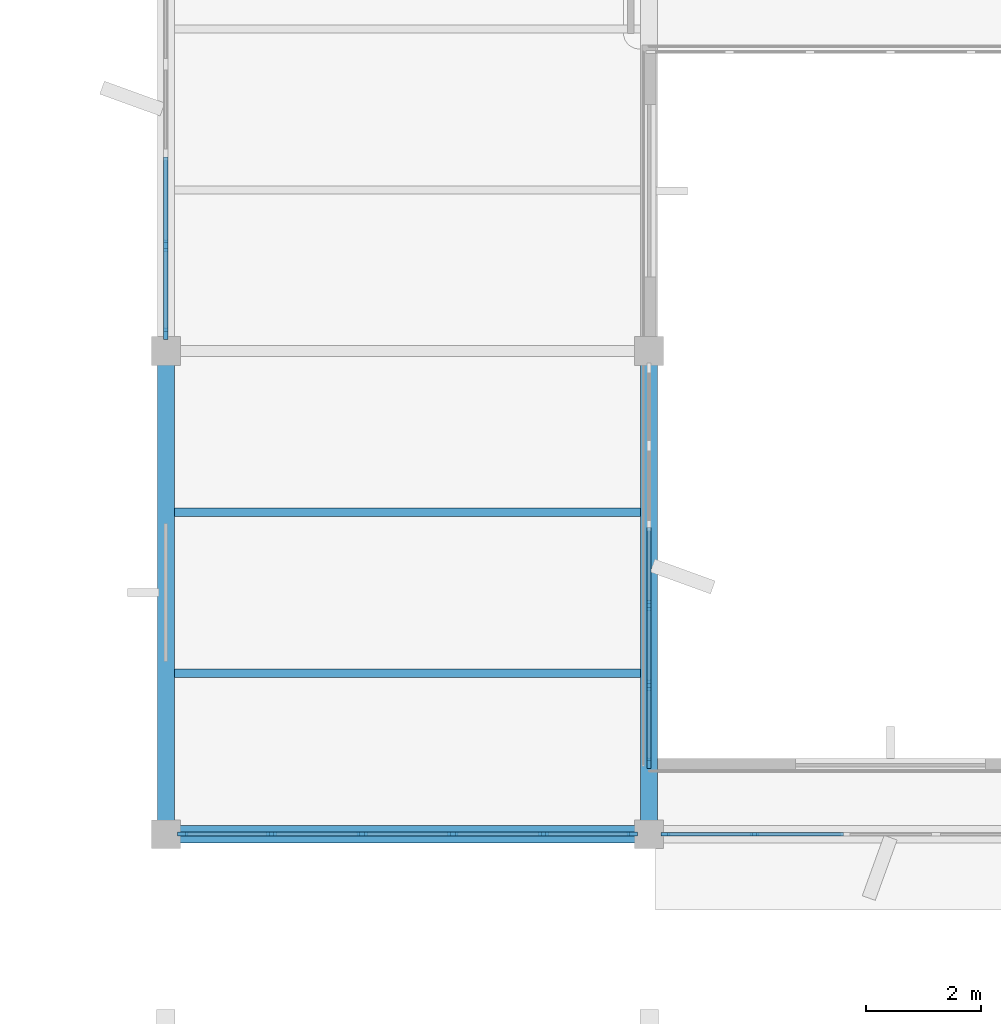
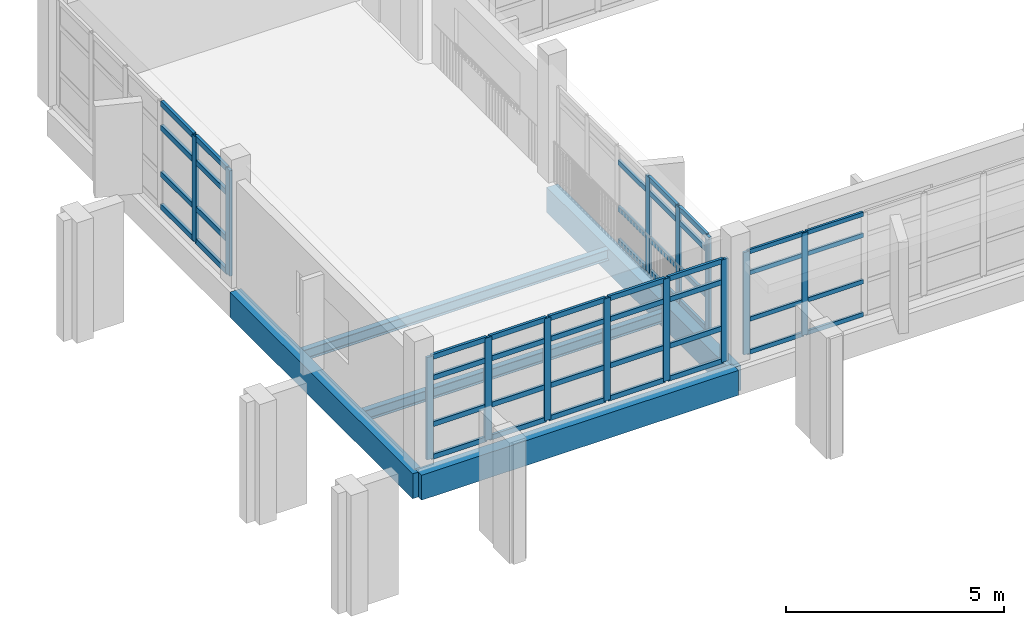
# One storey, part 6 of 104: 60 members, 5 beams, 4 elements without a shape of their own.
"""IFC4 building model written with IfcOpenShell, lengths in metres."""

from ifc_helpers import new_model, si_unit, direction, frame, origin, origin_2d, place, context, subcontext, project, spatial, rectangle, i_section, extrude, material, material_profile, profile_set, type_object, element, aggregate, save


model = new_model("IFC4")

# Units and contexts
model_context = context("Model", 3, precision=1e-05, world=origin(), true_north=direction((0.0, 1.0)))
body_context = subcontext(model_context, "Body", "Model", "MODEL_VIEW")
ifc_project = project(units=[si_unit("LENGTHUNIT", "METRE"), si_unit("AREAUNIT", "SQUARE_METRE"), si_unit("VOLUMEUNIT", "CUBIC_METRE"), si_unit("PLANEANGLEUNIT", "RADIAN"), si_unit("MASSUNIT", "GRAM", prefix="KILO")], contexts=[model_context])

# Site, building, storey
site_placement = place(None, origin())
site = spatial("IfcSite", under=ifc_project, at=site_placement, CompositionType="ELEMENT")
building_placement = place(site_placement, origin())
building = spatial("IfcBuilding", under=site, at=building_placement, Name="Vanh Quang Courtyard School", CompositionType="ELEMENT")
storey_placement = place(building_placement, frame((0.0, 0.0, 4.199951171875)))
storey = spatial("IfcBuildingStorey", under=building, at=storey_placement, Name="L01", CompositionType="ELEMENT", Elevation=4.199951171875)

# Beams
ifc_material_1 = material(Name="Concrete C35/45", Category="concrete")
ifc_material_profile_1 = material_profile(ifc_material_1, rectangle(XDim=0.300048828125, YDim=0.699951171875, at=origin_2d()), Name="RC-SP 300x700")
ifc_profile_set_1 = profile_set([ifc_material_profile_1], Name="Concrete C35/45")
beam_type_1 = type_object("IfcBeamType", Name="BM-SP-300x700", PredefinedType="SPANDREL", material=ifc_profile_set_1)
for number, where, z_axis, x_axis, name in (
    (1, (4.199951171875, 4.199951171875, -0.6298828125), (1.0, 0.0, 0.0), (0.0, 1.0, 0.0), "Beam BS-01 (L01)"),
    (2, (4.199951171875, 4.199951171875, -0.6298828125), (0.0, 1.0, 0.0), (-1.0, 0.0, 0.0), "Beam BS-01 (L01)"),
    (3, (12.60009765625, 4.199951171875, -0.6298828125), (0.0, 1.0, 0.0), (-1.0, 0.0, 0.0), "Beam BS-01 (L01)"),
):
    element("IfcBeam", number, at=place(storey_placement, frame(where, z_axis=z_axis, x_axis=x_axis)), inside=storey, type_object=beam_type_1, Name=name, PredefinedType="SPANDREL", context=body_context, shape_type="SweptSolid", body=[
        extrude(rectangle(XDim=0.300048828125, YDim=0.699951171875, at=origin_2d()), origin(), (0.0, 0.0, 1.0), 8.400146484375),
    ])

# Curtain wall, members
ifc_material_2 = material(Name="Thermally broken aluminium unitised curtain wall", Category="aluminium")
curtain_wall_type_1 = type_object("IfcCurtainWallType", Name="CW-SYS-29", PredefinedType="NOTDEFINED", material=ifc_material_2)
curtain_wall_1_placement = place(storey_placement, origin())
curtain_wall_1 = element("IfcCurtainWall", 4, at=curtain_wall_1_placement, inside=storey, type_object=curtain_wall_type_1, Name="Curtain Wall CW-29 (L01)", PredefinedType="NOTDEFINED")
ifc_material_3 = material(Name="Anodised aluminium 6063-T6", Category="aluminium")
ifc_material_profile_2 = material_profile(ifc_material_3, rectangle(XDim=0.06005859375, YDim=0.159912109375, at=origin_2d()), Name="ALU-MUL 60x160")
ifc_profile_set_2 = profile_set([ifc_material_profile_2], Name="Anodised aluminium 6063-T6")
member_type_1 = type_object("IfcMemberType", Name="CW-MUL-60x160", PredefinedType="MULLION", material=ifc_profile_set_2)
member_1_placement = place(storey_placement, frame((14.434814453125, 4.199951171875, 0.0), z_axis=(0.0, 0.0, 1.0), x_axis=(0.0, -1.0, 0.0)))
member_1 = element("IfcMember", 5, at=member_1_placement, type_object=member_type_1, Name="CW-29 mullion 5", PredefinedType="MULLION", context=body_context, shape_type="SweptSolid", body=[
    extrude(rectangle(XDim=0.06005859375, YDim=0.159912109375, at=origin_2d()), origin(), (0.0, 0.0, 1.0), 2.8701171875),
])
member_2_placement = place(storey_placement, frame((12.887939453125, 4.199951171875, 0.0), z_axis=(0.0, 0.0, 1.0), x_axis=(0.0, -1.0, 0.0)))
member_2 = element("IfcMember", 6, at=member_2_placement, type_object=member_type_1, Name="CW-29 mullion 6", PredefinedType="MULLION", context=body_context, shape_type="SweptSolid", body=[
    extrude(rectangle(XDim=0.06005859375, YDim=0.159912109375, at=origin_2d()), origin(), (0.0, 0.0, 1.0), 2.8701171875),
])

curtain_wall_2_placement = place(storey_placement, origin())
curtain_wall_2 = element("IfcCurtainWall", 7, at=curtain_wall_2_placement, inside=storey, type_object=curtain_wall_type_1, Name="Curtain Wall CW-29 (L01)", PredefinedType="NOTDEFINED")
ifc_material_profile_3 = material_profile(ifc_material_3, rectangle(XDim=0.070068359375, YDim=0.179931640625, at=origin_2d()), Name="ALU-MUL 70x180")
ifc_profile_set_3 = profile_set([ifc_material_profile_3], Name="Anodised aluminium 6063-T6")
member_type_2 = type_object("IfcMemberType", Name="CW-MUL-70x180", PredefinedType="MULLION", material=ifc_profile_set_3)
member_3_placement = place(storey_placement, frame((12.306884765625, 4.199951171875, 0.0), z_axis=(0.0, 0.0, 1.0), x_axis=(0.0, -1.0, 0.0)))
member_3 = element("IfcMember", 8, at=member_3_placement, type_object=member_type_2, Name="CW-29 mullion 1", PredefinedType="MULLION", context=body_context, shape_type="SweptSolid", body=[
    extrude(rectangle(XDim=0.070068359375, YDim=0.179931640625, at=origin_2d()), origin(), (0.0, 0.0, 1.0), 2.8701171875),
])
member_4_placement = place(storey_placement, frame((10.76513671875, 4.199951171875, 0.0), z_axis=(0.0, 0.0, 1.0), x_axis=(0.0, -1.0, 0.0)))
member_4 = element("IfcMember", 9, at=member_4_placement, type_object=member_type_2, Name="CW-29 mullion 2", PredefinedType="MULLION", context=body_context, shape_type="SweptSolid", body=[
    extrude(rectangle(XDim=0.070068359375, YDim=0.179931640625, at=origin_2d()), origin(), (0.0, 0.0, 1.0), 2.8701171875),
])
member_5_placement = place(storey_placement, frame((9.1884765625, 4.199951171875, 0.0), z_axis=(0.0, 0.0, 1.0), x_axis=(0.0, -1.0, 0.0)))
member_5 = element("IfcMember", 10, at=member_5_placement, type_object=member_type_2, Name="CW-29 mullion 3", PredefinedType="MULLION", context=body_context, shape_type="SweptSolid", body=[
    extrude(rectangle(XDim=0.070068359375, YDim=0.179931640625, at=origin_2d()), origin(), (0.0, 0.0, 1.0), 2.8701171875),
])
member_6_placement = place(storey_placement, frame((7.611572265625, 4.199951171875, 0.0), z_axis=(0.0, 0.0, 1.0), x_axis=(0.0, -1.0, 0.0)))
member_6 = element("IfcMember", 11, at=member_6_placement, type_object=member_type_2, Name="CW-29 mullion 4", PredefinedType="MULLION", context=body_context, shape_type="SweptSolid", body=[
    extrude(rectangle(XDim=0.070068359375, YDim=0.179931640625, at=origin_2d()), origin(), (0.0, 0.0, 1.0), 2.8701171875),
])
member_7_placement = place(storey_placement, frame((6.034912109375, 4.199951171875, 0.0), z_axis=(0.0, 0.0, 1.0), x_axis=(0.0, -1.0, 0.0)))
member_7 = element("IfcMember", 12, at=member_7_placement, type_object=member_type_2, Name="CW-29 mullion 5", PredefinedType="MULLION", context=body_context, shape_type="SweptSolid", body=[
    extrude(rectangle(XDim=0.070068359375, YDim=0.179931640625, at=origin_2d()), origin(), (0.0, 0.0, 1.0), 2.8701171875),
])
member_8_placement = place(storey_placement, frame((4.492919921875, 4.199951171875, 0.0), z_axis=(0.0, 0.0, 1.0), x_axis=(0.0, -1.0, 0.0)))
member_8 = element("IfcMember", 13, at=member_8_placement, type_object=member_type_2, Name="CW-29 mullion 6", PredefinedType="MULLION", context=body_context, shape_type="SweptSolid", body=[
    extrude(rectangle(XDim=0.070068359375, YDim=0.179931640625, at=origin_2d()), origin(), (0.0, 0.0, 1.0), 2.8701171875),
])

curtain_wall_type_2 = type_object("IfcCurtainWallType", Name="CW-SYS-34", PredefinedType="NOTDEFINED", material=ifc_material_2)
curtain_wall_3_placement = place(storey_placement, origin())
curtain_wall_3 = element("IfcCurtainWall", 14, at=curtain_wall_3_placement, inside=storey, type_object=curtain_wall_type_2, Name="Curtain Wall CW-34 (L01)", PredefinedType="NOTDEFINED")
member_9_placement = place(storey_placement, frame((12.60009765625, 8.1767578125, 0.0), z_axis=(0.0, 0.0, 1.0), x_axis=(1.0, 0.0, 0.0)))
member_9 = element("IfcMember", 15, at=member_9_placement, type_object=member_type_2, Name="CW-34 mullion 4", PredefinedType="MULLION", context=body_context, shape_type="SweptSolid", body=[
    extrude(rectangle(XDim=0.070068359375, YDim=0.179931640625, at=origin_2d()), origin(), (0.0, 0.0, 1.0), 2.670166015625),
])
member_10_placement = place(storey_placement, frame((12.60009765625, 6.788330078125, 0.0), z_axis=(0.0, 0.0, 1.0), x_axis=(1.0, 0.0, 0.0)))
member_10 = element("IfcMember", 16, at=member_10_placement, type_object=member_type_2, Name="CW-34 mullion 5", PredefinedType="MULLION", context=body_context, shape_type="SweptSolid", body=[
    extrude(rectangle(XDim=0.070068359375, YDim=0.179931640625, at=origin_2d()), origin(), (0.0, 0.0, 1.0), 2.670166015625),
])
member_11_placement = place(storey_placement, frame((12.60009765625, 5.43505859375, 0.0), z_axis=(0.0, 0.0, 1.0), x_axis=(1.0, 0.0, 0.0)))
member_11 = element("IfcMember", 17, at=member_11_placement, type_object=member_type_2, Name="CW-34 mullion 6", PredefinedType="MULLION", context=body_context, shape_type="SweptSolid", body=[
    extrude(rectangle(XDim=0.070068359375, YDim=0.179931640625, at=origin_2d()), origin(), (0.0, 0.0, 1.0), 2.670166015625),
])

curtain_wall_type_3 = type_object("IfcCurtainWallType", Name="CW-SYS-30", PredefinedType="NOTDEFINED", material=ifc_material_2)
curtain_wall_4_placement = place(storey_placement, origin())
curtain_wall_4 = element("IfcCurtainWall", 18, at=curtain_wall_4_placement, inside=storey, type_object=curtain_wall_type_3, Name="Curtain Wall CW-30 (L01)", PredefinedType="NOTDEFINED")
ifc_material_profile_4 = material_profile(ifc_material_3, rectangle(XDim=0.080078125, YDim=0.199951171875, at=origin_2d()), Name="ALU-MUL 80x200")
ifc_profile_set_4 = profile_set([ifc_material_profile_4], Name="Anodised aluminium 6063-T6")
member_type_3 = type_object("IfcMemberType", Name="CW-MUL-80x200", PredefinedType="MULLION", material=ifc_profile_set_4)
member_12_placement = place(storey_placement, frame((4.199951171875, 12.89794921875, 0.0), z_axis=(0.0, 0.0, 1.0), x_axis=(-1.0, 0.0, 0.0)))
member_12 = element("IfcMember", 19, at=member_12_placement, type_object=member_type_3, Name="CW-30 mullion 1", PredefinedType="MULLION", context=body_context, shape_type="SweptSolid", body=[
    extrude(rectangle(XDim=0.080078125, YDim=0.199951171875, at=origin_2d()), origin(), (0.0, 0.0, 1.0), 2.9599609375),
])
member_13_placement = place(storey_placement, frame((4.199951171875, 14.434814453125, 0.0), z_axis=(0.0, 0.0, 1.0), x_axis=(-1.0, 0.0, 0.0)))
member_13 = element("IfcMember", 20, at=member_13_placement, type_object=member_type_3, Name="CW-30 mullion 2", PredefinedType="MULLION", context=body_context, shape_type="SweptSolid", body=[
    extrude(rectangle(XDim=0.080078125, YDim=0.199951171875, at=origin_2d()), origin(), (0.0, 0.0, 1.0), 2.9599609375),
])

# Member
ifc_material_profile_5 = material_profile(ifc_material_3, rectangle(XDim=0.06005859375, YDim=0.1201171875, at=origin_2d()), Name="ALU-TRN 60x120")
ifc_profile_set_5 = profile_set([ifc_material_profile_5], Name="Anodised aluminium 6063-T6")
member_type_4 = type_object("IfcMemberType", Name="CW-TRN-60x120", PredefinedType="USERDEFINED", material=ifc_profile_set_5)
member_14_placement = place(storey_placement, frame((15.981689453125, 4.199951171875, 0.030029296875), z_axis=(-1.0, 0.0, 0.0), x_axis=(0.0, -1.0, 0.0)))
member_14 = element("IfcMember", 21, at=member_14_placement, type_object=member_type_4, Name="CW-29 transom 4.1", ObjectType="TRANSOM", PredefinedType="USERDEFINED", context=body_context, shape_type="SweptSolid", body=[
    extrude(rectangle(XDim=0.06005859375, YDim=0.1201171875, at=origin_2d()), origin(), (0.0, 0.0, 1.0), 1.516845703125),
])

member_15_placement = place(storey_placement, frame((15.981689453125, 4.199951171875, 0.949951171875), z_axis=(-1.0, 0.0, 0.0), x_axis=(0.0, -1.0, 0.0)))
member_15 = element("IfcMember", 22, at=member_15_placement, type_object=member_type_4, Name="CW-29 transom 4.2", ObjectType="TRANSOM", PredefinedType="USERDEFINED", context=body_context, shape_type="SweptSolid", body=[
    extrude(rectangle(XDim=0.06005859375, YDim=0.1201171875, at=origin_2d()), origin(), (0.0, 0.0, 1.0), 1.516845703125),
])

member_16_placement = place(storey_placement, frame((15.981689453125, 4.199951171875, 2.25), z_axis=(-1.0, 0.0, 0.0), x_axis=(0.0, -1.0, 0.0)))
member_16 = element("IfcMember", 23, at=member_16_placement, type_object=member_type_4, Name="CW-29 transom 4.3", ObjectType="TRANSOM", PredefinedType="USERDEFINED", context=body_context, shape_type="SweptSolid", body=[
    extrude(rectangle(XDim=0.06005859375, YDim=0.1201171875, at=origin_2d()), origin(), (0.0, 0.0, 1.0), 1.516845703125),
])

member_17_placement = place(storey_placement, frame((15.981689453125, 4.199951171875, 2.840087890625), z_axis=(-1.0, 0.0, 0.0), x_axis=(0.0, -1.0, 0.0)))
member_17 = element("IfcMember", 24, at=member_17_placement, type_object=member_type_4, Name="CW-29 transom 4.4", ObjectType="TRANSOM", PredefinedType="USERDEFINED", context=body_context, shape_type="SweptSolid", body=[
    extrude(rectangle(XDim=0.06005859375, YDim=0.1201171875, at=origin_2d()), origin(), (0.0, 0.0, 1.0), 1.516845703125),
])

member_18_placement = place(storey_placement, frame((14.40478515625, 4.199951171875, 0.030029296875), z_axis=(-1.0, 0.0, 0.0), x_axis=(0.0, -1.0, 0.0)))
member_18 = element("IfcMember", 25, at=member_18_placement, type_object=member_type_4, Name="CW-29 transom 5.1", ObjectType="TRANSOM", PredefinedType="USERDEFINED", context=body_context, shape_type="SweptSolid", body=[
    extrude(rectangle(XDim=0.06005859375, YDim=0.1201171875, at=origin_2d()), origin(), (0.0, 0.0, 1.0), 1.48681640625),
])

member_19_placement = place(storey_placement, frame((14.40478515625, 4.199951171875, 0.949951171875), z_axis=(-1.0, 0.0, 0.0), x_axis=(0.0, -1.0, 0.0)))
member_19 = element("IfcMember", 26, at=member_19_placement, type_object=member_type_4, Name="CW-29 transom 5.2", ObjectType="TRANSOM", PredefinedType="USERDEFINED", context=body_context, shape_type="SweptSolid", body=[
    extrude(rectangle(XDim=0.06005859375, YDim=0.1201171875, at=origin_2d()), origin(), (0.0, 0.0, 1.0), 1.48681640625),
])

member_20_placement = place(storey_placement, frame((14.40478515625, 4.199951171875, 2.25), z_axis=(-1.0, 0.0, 0.0), x_axis=(0.0, -1.0, 0.0)))
member_20 = element("IfcMember", 27, at=member_20_placement, type_object=member_type_4, Name="CW-29 transom 5.3", ObjectType="TRANSOM", PredefinedType="USERDEFINED", context=body_context, shape_type="SweptSolid", body=[
    extrude(rectangle(XDim=0.06005859375, YDim=0.1201171875, at=origin_2d()), origin(), (0.0, 0.0, 1.0), 1.48681640625),
])

member_21_placement = place(storey_placement, frame((14.40478515625, 4.199951171875, 2.840087890625), z_axis=(-1.0, 0.0, 0.0), x_axis=(0.0, -1.0, 0.0)))
member_21 = element("IfcMember", 28, at=member_21_placement, type_object=member_type_4, Name="CW-29 transom 5.4", ObjectType="TRANSOM", PredefinedType="USERDEFINED", context=body_context, shape_type="SweptSolid", body=[
    extrude(rectangle(XDim=0.06005859375, YDim=0.1201171875, at=origin_2d()), origin(), (0.0, 0.0, 1.0), 1.48681640625),
])

aggregate(curtain_wall_1, [member_1, member_2, member_14, member_15, member_16, member_17, member_18, member_19, member_20, member_21])

ifc_material_profile_6 = material_profile(ifc_material_3, rectangle(XDim=0.070068359375, YDim=0.139892578125, at=origin_2d()), Name="ALU-TRN 70x140")
ifc_profile_set_6 = profile_set([ifc_material_profile_6], Name="Anodised aluminium 6063-T6")
member_type_5 = type_object("IfcMemberType", Name="CW-TRN-70x140", PredefinedType="USERDEFINED", material=ifc_profile_set_6)
member_22_placement = place(storey_placement, frame((12.27197265625, 4.199951171875, 0.03515625), z_axis=(-1.0, 0.0, 0.0), x_axis=(0.0, -1.0, 0.0)))
member_22 = element("IfcMember", 29, at=member_22_placement, type_object=member_type_5, Name="CW-29 transom 1.1", ObjectType="TRANSOM", PredefinedType="USERDEFINED", context=body_context, shape_type="SweptSolid", body=[
    extrude(rectangle(XDim=0.070068359375, YDim=0.139892578125, at=origin_2d()), origin(), (0.0, 0.0, 1.0), 1.4716796875),
])

member_23_placement = place(storey_placement, frame((12.27197265625, 4.199951171875, 0.949951171875), z_axis=(-1.0, 0.0, 0.0), x_axis=(0.0, -1.0, 0.0)))
member_23 = element("IfcMember", 30, at=member_23_placement, type_object=member_type_5, Name="CW-29 transom 1.2", ObjectType="TRANSOM", PredefinedType="USERDEFINED", context=body_context, shape_type="SweptSolid", body=[
    extrude(rectangle(XDim=0.070068359375, YDim=0.139892578125, at=origin_2d()), origin(), (0.0, 0.0, 1.0), 1.4716796875),
])

member_24_placement = place(storey_placement, frame((12.27197265625, 4.199951171875, 2.25), z_axis=(-1.0, 0.0, 0.0), x_axis=(0.0, -1.0, 0.0)))
member_24 = element("IfcMember", 31, at=member_24_placement, type_object=member_type_5, Name="CW-29 transom 1.3", ObjectType="TRANSOM", PredefinedType="USERDEFINED", context=body_context, shape_type="SweptSolid", body=[
    extrude(rectangle(XDim=0.070068359375, YDim=0.139892578125, at=origin_2d()), origin(), (0.0, 0.0, 1.0), 1.4716796875),
])

member_25_placement = place(storey_placement, frame((12.27197265625, 4.199951171875, 2.8349609375), z_axis=(-1.0, 0.0, 0.0), x_axis=(0.0, -1.0, 0.0)))
member_25 = element("IfcMember", 32, at=member_25_placement, type_object=member_type_5, Name="CW-29 transom 1.4", ObjectType="TRANSOM", PredefinedType="USERDEFINED", context=body_context, shape_type="SweptSolid", body=[
    extrude(rectangle(XDim=0.070068359375, YDim=0.139892578125, at=origin_2d()), origin(), (0.0, 0.0, 1.0), 1.4716796875),
])

member_26_placement = place(storey_placement, frame((10.730224609375, 4.199951171875, 0.03515625), z_axis=(-1.0, 0.0, 0.0), x_axis=(0.0, -1.0, 0.0)))
member_26 = element("IfcMember", 33, at=member_26_placement, type_object=member_type_5, Name="CW-29 transom 2.1", ObjectType="TRANSOM", PredefinedType="USERDEFINED", context=body_context, shape_type="SweptSolid", body=[
    extrude(rectangle(XDim=0.070068359375, YDim=0.139892578125, at=origin_2d()), origin(), (0.0, 0.0, 1.0), 1.5068359375),
])

member_27_placement = place(storey_placement, frame((10.730224609375, 4.199951171875, 0.949951171875), z_axis=(-1.0, 0.0, 0.0), x_axis=(0.0, -1.0, 0.0)))
member_27 = element("IfcMember", 34, at=member_27_placement, type_object=member_type_5, Name="CW-29 transom 2.2", ObjectType="TRANSOM", PredefinedType="USERDEFINED", context=body_context, shape_type="SweptSolid", body=[
    extrude(rectangle(XDim=0.070068359375, YDim=0.139892578125, at=origin_2d()), origin(), (0.0, 0.0, 1.0), 1.5068359375),
])

member_28_placement = place(storey_placement, frame((10.730224609375, 4.199951171875, 2.25), z_axis=(-1.0, 0.0, 0.0), x_axis=(0.0, -1.0, 0.0)))
member_28 = element("IfcMember", 35, at=member_28_placement, type_object=member_type_5, Name="CW-29 transom 2.3", ObjectType="TRANSOM", PredefinedType="USERDEFINED", context=body_context, shape_type="SweptSolid", body=[
    extrude(rectangle(XDim=0.070068359375, YDim=0.139892578125, at=origin_2d()), origin(), (0.0, 0.0, 1.0), 1.5068359375),
])

member_29_placement = place(storey_placement, frame((10.730224609375, 4.199951171875, 2.8349609375), z_axis=(-1.0, 0.0, 0.0), x_axis=(0.0, -1.0, 0.0)))
member_29 = element("IfcMember", 36, at=member_29_placement, type_object=member_type_5, Name="CW-29 transom 2.4", ObjectType="TRANSOM", PredefinedType="USERDEFINED", context=body_context, shape_type="SweptSolid", body=[
    extrude(rectangle(XDim=0.070068359375, YDim=0.139892578125, at=origin_2d()), origin(), (0.0, 0.0, 1.0), 1.5068359375),
])

member_30_placement = place(storey_placement, frame((9.1533203125, 4.199951171875, 0.03515625), z_axis=(-1.0, 0.0, 0.0), x_axis=(0.0, -1.0, 0.0)))
member_30 = element("IfcMember", 37, at=member_30_placement, type_object=member_type_5, Name="CW-29 transom 3.1", ObjectType="TRANSOM", PredefinedType="USERDEFINED", context=body_context, shape_type="SweptSolid", body=[
    extrude(rectangle(XDim=0.070068359375, YDim=0.139892578125, at=origin_2d()), origin(), (0.0, 0.0, 1.0), 1.5068359375),
])

member_31_placement = place(storey_placement, frame((9.1533203125, 4.199951171875, 0.949951171875), z_axis=(-1.0, 0.0, 0.0), x_axis=(0.0, -1.0, 0.0)))
member_31 = element("IfcMember", 38, at=member_31_placement, type_object=member_type_5, Name="CW-29 transom 3.2", ObjectType="TRANSOM", PredefinedType="USERDEFINED", context=body_context, shape_type="SweptSolid", body=[
    extrude(rectangle(XDim=0.070068359375, YDim=0.139892578125, at=origin_2d()), origin(), (0.0, 0.0, 1.0), 1.5068359375),
])

member_32_placement = place(storey_placement, frame((9.1533203125, 4.199951171875, 2.25), z_axis=(-1.0, 0.0, 0.0), x_axis=(0.0, -1.0, 0.0)))
member_32 = element("IfcMember", 39, at=member_32_placement, type_object=member_type_5, Name="CW-29 transom 3.3", ObjectType="TRANSOM", PredefinedType="USERDEFINED", context=body_context, shape_type="SweptSolid", body=[
    extrude(rectangle(XDim=0.070068359375, YDim=0.139892578125, at=origin_2d()), origin(), (0.0, 0.0, 1.0), 1.5068359375),
])

member_33_placement = place(storey_placement, frame((9.1533203125, 4.199951171875, 2.8349609375), z_axis=(-1.0, 0.0, 0.0), x_axis=(0.0, -1.0, 0.0)))
member_33 = element("IfcMember", 40, at=member_33_placement, type_object=member_type_5, Name="CW-29 transom 3.4", ObjectType="TRANSOM", PredefinedType="USERDEFINED", context=body_context, shape_type="SweptSolid", body=[
    extrude(rectangle(XDim=0.070068359375, YDim=0.139892578125, at=origin_2d()), origin(), (0.0, 0.0, 1.0), 1.5068359375),
])

member_34_placement = place(storey_placement, frame((7.57666015625, 4.199951171875, 0.03515625), z_axis=(-1.0, 0.0, 0.0), x_axis=(0.0, -1.0, 0.0)))
member_34 = element("IfcMember", 41, at=member_34_placement, type_object=member_type_5, Name="CW-29 transom 4.1", ObjectType="TRANSOM", PredefinedType="USERDEFINED", context=body_context, shape_type="SweptSolid", body=[
    extrude(rectangle(XDim=0.070068359375, YDim=0.139892578125, at=origin_2d()), origin(), (0.0, 0.0, 1.0), 1.5068359375),
])

member_35_placement = place(storey_placement, frame((7.57666015625, 4.199951171875, 0.949951171875), z_axis=(-1.0, 0.0, 0.0), x_axis=(0.0, -1.0, 0.0)))
member_35 = element("IfcMember", 42, at=member_35_placement, type_object=member_type_5, Name="CW-29 transom 4.2", ObjectType="TRANSOM", PredefinedType="USERDEFINED", context=body_context, shape_type="SweptSolid", body=[
    extrude(rectangle(XDim=0.070068359375, YDim=0.139892578125, at=origin_2d()), origin(), (0.0, 0.0, 1.0), 1.5068359375),
])

member_36_placement = place(storey_placement, frame((7.57666015625, 4.199951171875, 2.25), z_axis=(-1.0, 0.0, 0.0), x_axis=(0.0, -1.0, 0.0)))
member_36 = element("IfcMember", 43, at=member_36_placement, type_object=member_type_5, Name="CW-29 transom 4.3", ObjectType="TRANSOM", PredefinedType="USERDEFINED", context=body_context, shape_type="SweptSolid", body=[
    extrude(rectangle(XDim=0.070068359375, YDim=0.139892578125, at=origin_2d()), origin(), (0.0, 0.0, 1.0), 1.5068359375),
])

member_37_placement = place(storey_placement, frame((7.57666015625, 4.199951171875, 2.8349609375), z_axis=(-1.0, 0.0, 0.0), x_axis=(0.0, -1.0, 0.0)))
member_37 = element("IfcMember", 44, at=member_37_placement, type_object=member_type_5, Name="CW-29 transom 4.4", ObjectType="TRANSOM", PredefinedType="USERDEFINED", context=body_context, shape_type="SweptSolid", body=[
    extrude(rectangle(XDim=0.070068359375, YDim=0.139892578125, at=origin_2d()), origin(), (0.0, 0.0, 1.0), 1.5068359375),
])

member_38_placement = place(storey_placement, frame((5.999755859375, 4.199951171875, 0.03515625), z_axis=(-1.0, 0.0, 0.0), x_axis=(0.0, -1.0, 0.0)))
member_38 = element("IfcMember", 45, at=member_38_placement, type_object=member_type_5, Name="CW-29 transom 5.1", ObjectType="TRANSOM", PredefinedType="USERDEFINED", context=body_context, shape_type="SweptSolid", body=[
    extrude(rectangle(XDim=0.070068359375, YDim=0.139892578125, at=origin_2d()), origin(), (0.0, 0.0, 1.0), 1.4716796875),
])

member_39_placement = place(storey_placement, frame((5.999755859375, 4.199951171875, 0.949951171875), z_axis=(-1.0, 0.0, 0.0), x_axis=(0.0, -1.0, 0.0)))
member_39 = element("IfcMember", 46, at=member_39_placement, type_object=member_type_5, Name="CW-29 transom 5.2", ObjectType="TRANSOM", PredefinedType="USERDEFINED", context=body_context, shape_type="SweptSolid", body=[
    extrude(rectangle(XDim=0.070068359375, YDim=0.139892578125, at=origin_2d()), origin(), (0.0, 0.0, 1.0), 1.4716796875),
])

member_40_placement = place(storey_placement, frame((5.999755859375, 4.199951171875, 2.25), z_axis=(-1.0, 0.0, 0.0), x_axis=(0.0, -1.0, 0.0)))
member_40 = element("IfcMember", 47, at=member_40_placement, type_object=member_type_5, Name="CW-29 transom 5.3", ObjectType="TRANSOM", PredefinedType="USERDEFINED", context=body_context, shape_type="SweptSolid", body=[
    extrude(rectangle(XDim=0.070068359375, YDim=0.139892578125, at=origin_2d()), origin(), (0.0, 0.0, 1.0), 1.4716796875),
])

member_41_placement = place(storey_placement, frame((5.999755859375, 4.199951171875, 2.8349609375), z_axis=(-1.0, 0.0, 0.0), x_axis=(0.0, -1.0, 0.0)))
member_41 = element("IfcMember", 48, at=member_41_placement, type_object=member_type_5, Name="CW-29 transom 5.4", ObjectType="TRANSOM", PredefinedType="USERDEFINED", context=body_context, shape_type="SweptSolid", body=[
    extrude(rectangle(XDim=0.070068359375, YDim=0.139892578125, at=origin_2d()), origin(), (0.0, 0.0, 1.0), 1.4716796875),
])

aggregate(curtain_wall_2, [member_3, member_4, member_5, member_6, member_7, member_8, member_22, member_23, member_24, member_25, member_26, member_27, member_28, member_29, member_30, member_31, member_32, member_33, member_34, member_35, member_36, member_37, member_38, member_39, member_40, member_41])

member_42_placement = place(storey_placement, frame((12.60009765625, 9.5302734375, 0.03515625), z_axis=(0.0, -1.0, 0.0), x_axis=(1.0, 0.0, 0.0)))
member_42 = element("IfcMember", 49, at=member_42_placement, type_object=member_type_5, Name="CW-34 transom 3.1", ObjectType="TRANSOM", PredefinedType="USERDEFINED", context=body_context, shape_type="SweptSolid", body=[
    extrude(rectangle(XDim=0.070068359375, YDim=0.139892578125, at=origin_2d()), origin(), (0.0, 0.0, 1.0), 1.318359375),
])

member_43_placement = place(storey_placement, frame((12.60009765625, 9.5302734375, 0.949951171875), z_axis=(0.0, -1.0, 0.0), x_axis=(1.0, 0.0, 0.0)))
member_43 = element("IfcMember", 50, at=member_43_placement, type_object=member_type_5, Name="CW-34 transom 3.2", ObjectType="TRANSOM", PredefinedType="USERDEFINED", context=body_context, shape_type="SweptSolid", body=[
    extrude(rectangle(XDim=0.070068359375, YDim=0.139892578125, at=origin_2d()), origin(), (0.0, 0.0, 1.0), 1.318359375),
])

member_44_placement = place(storey_placement, frame((12.60009765625, 9.5302734375, 2.25), z_axis=(0.0, -1.0, 0.0), x_axis=(1.0, 0.0, 0.0)))
member_44 = element("IfcMember", 51, at=member_44_placement, type_object=member_type_5, Name="CW-34 transom 3.3", ObjectType="TRANSOM", PredefinedType="USERDEFINED", context=body_context, shape_type="SweptSolid", body=[
    extrude(rectangle(XDim=0.070068359375, YDim=0.139892578125, at=origin_2d()), origin(), (0.0, 0.0, 1.0), 1.318359375),
])

member_45_placement = place(storey_placement, frame((12.60009765625, 8.141845703125, 0.03515625), z_axis=(0.0, -1.0, 0.0), x_axis=(1.0, 0.0, 0.0)))
member_45 = element("IfcMember", 52, at=member_45_placement, type_object=member_type_5, Name="CW-34 transom 4.1", ObjectType="TRANSOM", PredefinedType="USERDEFINED", context=body_context, shape_type="SweptSolid", body=[
    extrude(rectangle(XDim=0.070068359375, YDim=0.139892578125, at=origin_2d()), origin(), (0.0, 0.0, 1.0), 1.318359375),
])

member_46_placement = place(storey_placement, frame((12.60009765625, 8.141845703125, 0.949951171875), z_axis=(0.0, -1.0, 0.0), x_axis=(1.0, 0.0, 0.0)))
member_46 = element("IfcMember", 53, at=member_46_placement, type_object=member_type_5, Name="CW-34 transom 4.2", ObjectType="TRANSOM", PredefinedType="USERDEFINED", context=body_context, shape_type="SweptSolid", body=[
    extrude(rectangle(XDim=0.070068359375, YDim=0.139892578125, at=origin_2d()), origin(), (0.0, 0.0, 1.0), 1.318359375),
])

member_47_placement = place(storey_placement, frame((12.60009765625, 8.141845703125, 2.25), z_axis=(0.0, -1.0, 0.0), x_axis=(1.0, 0.0, 0.0)))
member_47 = element("IfcMember", 54, at=member_47_placement, type_object=member_type_5, Name="CW-34 transom 4.3", ObjectType="TRANSOM", PredefinedType="USERDEFINED", context=body_context, shape_type="SweptSolid", body=[
    extrude(rectangle(XDim=0.070068359375, YDim=0.139892578125, at=origin_2d()), origin(), (0.0, 0.0, 1.0), 1.318359375),
])

member_48_placement = place(storey_placement, frame((12.60009765625, 8.141845703125, 2.635009765625), z_axis=(0.0, -1.0, 0.0), x_axis=(1.0, 0.0, 0.0)))
member_48 = element("IfcMember", 55, at=member_48_placement, type_object=member_type_5, Name="CW-34 transom 4.4", ObjectType="TRANSOM", PredefinedType="USERDEFINED", context=body_context, shape_type="SweptSolid", body=[
    extrude(rectangle(XDim=0.070068359375, YDim=0.139892578125, at=origin_2d()), origin(), (0.0, 0.0, 1.0), 1.318359375),
])

member_49_placement = place(storey_placement, frame((12.60009765625, 6.75341796875, 0.03515625), z_axis=(0.0, -1.0, 0.0), x_axis=(1.0, 0.0, 0.0)))
member_49 = element("IfcMember", 56, at=member_49_placement, type_object=member_type_5, Name="CW-34 transom 5.1", ObjectType="TRANSOM", PredefinedType="USERDEFINED", context=body_context, shape_type="SweptSolid", body=[
    extrude(rectangle(XDim=0.070068359375, YDim=0.139892578125, at=origin_2d()), origin(), (0.0, 0.0, 1.0), 1.283447265625),
])

member_50_placement = place(storey_placement, frame((12.60009765625, 6.75341796875, 0.949951171875), z_axis=(0.0, -1.0, 0.0), x_axis=(1.0, 0.0, 0.0)))
member_50 = element("IfcMember", 57, at=member_50_placement, type_object=member_type_5, Name="CW-34 transom 5.2", ObjectType="TRANSOM", PredefinedType="USERDEFINED", context=body_context, shape_type="SweptSolid", body=[
    extrude(rectangle(XDim=0.070068359375, YDim=0.139892578125, at=origin_2d()), origin(), (0.0, 0.0, 1.0), 1.283447265625),
])

member_51_placement = place(storey_placement, frame((12.60009765625, 6.75341796875, 2.25), z_axis=(0.0, -1.0, 0.0), x_axis=(1.0, 0.0, 0.0)))
member_51 = element("IfcMember", 58, at=member_51_placement, type_object=member_type_5, Name="CW-34 transom 5.3", ObjectType="TRANSOM", PredefinedType="USERDEFINED", context=body_context, shape_type="SweptSolid", body=[
    extrude(rectangle(XDim=0.070068359375, YDim=0.139892578125, at=origin_2d()), origin(), (0.0, 0.0, 1.0), 1.283447265625),
])

member_52_placement = place(storey_placement, frame((12.60009765625, 6.75341796875, 2.635009765625), z_axis=(0.0, -1.0, 0.0), x_axis=(1.0, 0.0, 0.0)))
member_52 = element("IfcMember", 59, at=member_52_placement, type_object=member_type_5, Name="CW-34 transom 5.4", ObjectType="TRANSOM", PredefinedType="USERDEFINED", context=body_context, shape_type="SweptSolid", body=[
    extrude(rectangle(XDim=0.070068359375, YDim=0.139892578125, at=origin_2d()), origin(), (0.0, 0.0, 1.0), 1.283447265625),
])

aggregate(curtain_wall_3, [member_9, member_10, member_11, member_42, member_43, member_44, member_45, member_46, member_47, member_48, member_49, member_50, member_51, member_52])

ifc_material_profile_7 = material_profile(ifc_material_3, rectangle(XDim=0.080078125, YDim=0.14990234375, at=origin_2d()), Name="ALU-TRN 80x150")
ifc_profile_set_7 = profile_set([ifc_material_profile_7], Name="Anodised aluminium 6063-T6")
member_type_6 = type_object("IfcMemberType", Name="CW-TRN-80x150", PredefinedType="USERDEFINED", material=ifc_profile_set_7)
member_53_placement = place(storey_placement, frame((4.199951171875, 12.93798828125, 0.0400390625), z_axis=(0.0, 1.0, 0.0), x_axis=(-1.0, 0.0, 0.0)))
member_53 = element("IfcMember", 60, at=member_53_placement, type_object=member_type_6, Name="CW-30 transom 1.1", ObjectType="TRANSOM", PredefinedType="USERDEFINED", context=body_context, shape_type="SweptSolid", body=[
    extrude(rectangle(XDim=0.080078125, YDim=0.14990234375, at=origin_2d()), origin(), (0.0, 0.0, 1.0), 1.456787109375),
])

member_54_placement = place(storey_placement, frame((4.199951171875, 12.93798828125, 0.949951171875), z_axis=(0.0, 1.0, 0.0), x_axis=(-1.0, 0.0, 0.0)))
member_54 = element("IfcMember", 61, at=member_54_placement, type_object=member_type_6, Name="CW-30 transom 1.2", ObjectType="TRANSOM", PredefinedType="USERDEFINED", context=body_context, shape_type="SweptSolid", body=[
    extrude(rectangle(XDim=0.080078125, YDim=0.14990234375, at=origin_2d()), origin(), (0.0, 0.0, 1.0), 1.456787109375),
])

member_55_placement = place(storey_placement, frame((4.199951171875, 12.93798828125, 2.25), z_axis=(0.0, 1.0, 0.0), x_axis=(-1.0, 0.0, 0.0)))
member_55 = element("IfcMember", 62, at=member_55_placement, type_object=member_type_6, Name="CW-30 transom 1.3", ObjectType="TRANSOM", PredefinedType="USERDEFINED", context=body_context, shape_type="SweptSolid", body=[
    extrude(rectangle(XDim=0.080078125, YDim=0.14990234375, at=origin_2d()), origin(), (0.0, 0.0, 1.0), 1.456787109375),
])

member_56_placement = place(storey_placement, frame((4.199951171875, 12.93798828125, 2.920166015625), z_axis=(0.0, 1.0, 0.0), x_axis=(-1.0, 0.0, 0.0)))
member_56 = element("IfcMember", 63, at=member_56_placement, type_object=member_type_6, Name="CW-30 transom 1.4", ObjectType="TRANSOM", PredefinedType="USERDEFINED", context=body_context, shape_type="SweptSolid", body=[
    extrude(rectangle(XDim=0.080078125, YDim=0.14990234375, at=origin_2d()), origin(), (0.0, 0.0, 1.0), 1.456787109375),
])

member_57_placement = place(storey_placement, frame((4.199951171875, 14.474853515625, 0.0400390625), z_axis=(0.0, 1.0, 0.0), x_axis=(-1.0, 0.0, 0.0)))
member_57 = element("IfcMember", 64, at=member_57_placement, type_object=member_type_6, Name="CW-30 transom 2.1", ObjectType="TRANSOM", PredefinedType="USERDEFINED", context=body_context, shape_type="SweptSolid", body=[
    extrude(rectangle(XDim=0.080078125, YDim=0.14990234375, at=origin_2d()), origin(), (0.0, 0.0, 1.0), 1.496826171875),
])

member_58_placement = place(storey_placement, frame((4.199951171875, 14.474853515625, 0.949951171875), z_axis=(0.0, 1.0, 0.0), x_axis=(-1.0, 0.0, 0.0)))
member_58 = element("IfcMember", 65, at=member_58_placement, type_object=member_type_6, Name="CW-30 transom 2.2", ObjectType="TRANSOM", PredefinedType="USERDEFINED", context=body_context, shape_type="SweptSolid", body=[
    extrude(rectangle(XDim=0.080078125, YDim=0.14990234375, at=origin_2d()), origin(), (0.0, 0.0, 1.0), 1.496826171875),
])

member_59_placement = place(storey_placement, frame((4.199951171875, 14.474853515625, 2.25), z_axis=(0.0, 1.0, 0.0), x_axis=(-1.0, 0.0, 0.0)))
member_59 = element("IfcMember", 66, at=member_59_placement, type_object=member_type_6, Name="CW-30 transom 2.3", ObjectType="TRANSOM", PredefinedType="USERDEFINED", context=body_context, shape_type="SweptSolid", body=[
    extrude(rectangle(XDim=0.080078125, YDim=0.14990234375, at=origin_2d()), origin(), (0.0, 0.0, 1.0), 1.496826171875),
])

member_60_placement = place(storey_placement, frame((4.199951171875, 14.474853515625, 2.920166015625), z_axis=(0.0, 1.0, 0.0), x_axis=(-1.0, 0.0, 0.0)))
member_60 = element("IfcMember", 67, at=member_60_placement, type_object=member_type_6, Name="CW-30 transom 2.4", ObjectType="TRANSOM", PredefinedType="USERDEFINED", context=body_context, shape_type="SweptSolid", body=[
    extrude(rectangle(XDim=0.080078125, YDim=0.14990234375, at=origin_2d()), origin(), (0.0, 0.0, 1.0), 1.496826171875),
])

aggregate(curtain_wall_4, [member_12, member_13, member_53, member_54, member_55, member_56, member_57, member_58, member_59, member_60])

# Beams
ifc_material_4 = material(Name="Structural steel EN 10025-2 S355J2", Category="steel")
ifc_material_profile_8 = material_profile(ifc_material_4, i_section(OverallWidth=0.14990234375, OverallDepth=0.300048828125, WebThickness=0.007080078125, FlangeThickness=0.0107421875, FilletRadius=0.014892578125, at=origin_2d()), Name="IPE 300")
ifc_profile_set_8 = profile_set([ifc_material_profile_8], Name="Structural steel EN 10025-2 S355J2")
beam_type_2 = type_object("IfcBeamType", Name="JST-STL-IPE300", PredefinedType="JOIST", material=ifc_profile_set_8)
for number, where, z_axis, x_axis, name in (
    (68, (4.35009765625, 7.0, -0.429931640625), (1.0, 0.0, 0.0), (0.0, 1.0, 0.0), "Beam SJ-02 (L01)"),
    (69, (4.35009765625, 9.800048828125, -0.429931640625), (1.0, 0.0, 0.0), (0.0, 1.0, 0.0), "Beam SJ-02 (L01)"),
):
    element("IfcBeam", number, at=place(storey_placement, frame(where, z_axis=z_axis, x_axis=x_axis)), inside=storey, type_object=beam_type_2, Name=name, PredefinedType="JOIST", context=body_context, shape_type="SweptSolid", body=[
        extrude(i_section(OverallWidth=0.14990234375, OverallDepth=0.300048828125, WebThickness=0.007080078125, FlangeThickness=0.0107421875, FilletRadius=0.014892578125, at=origin_2d()), origin(), (0.0, 0.0, 1.0), 8.099853515625),
    ])

save(model, "model.ifc")
